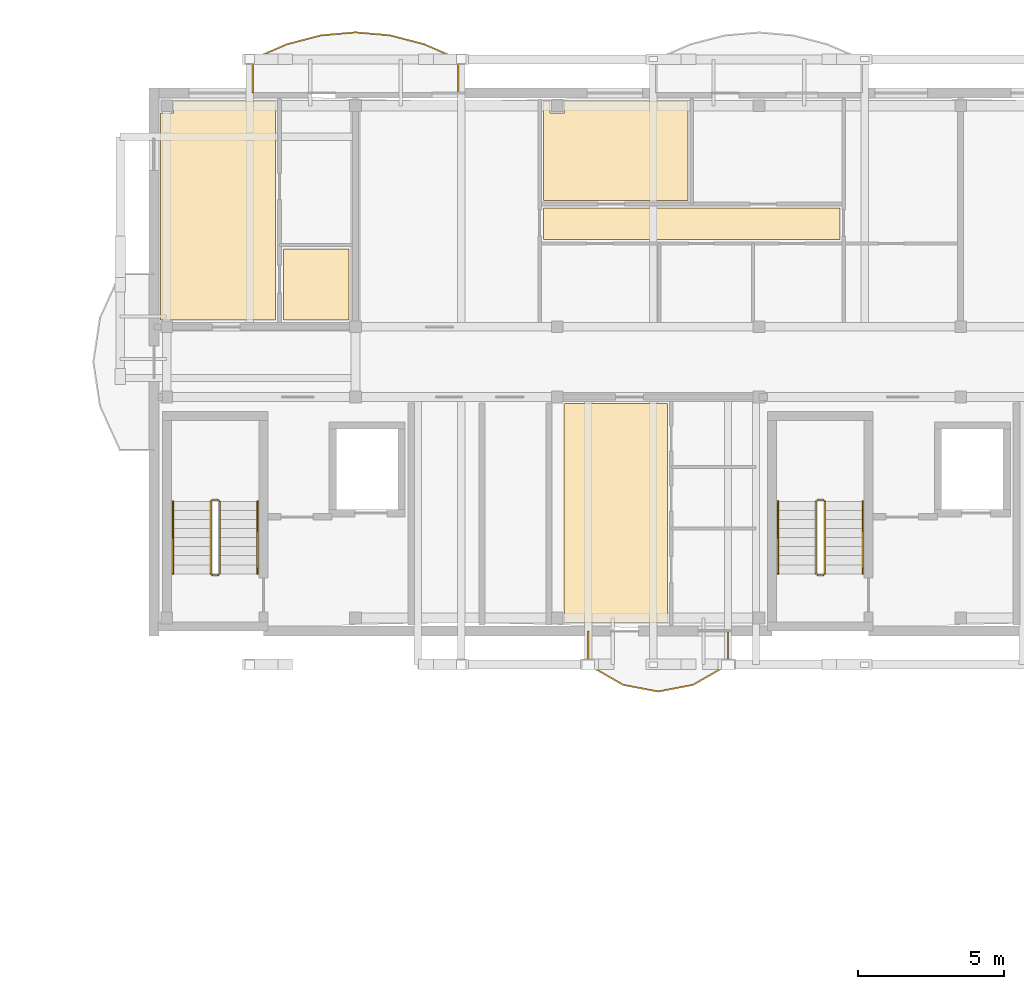
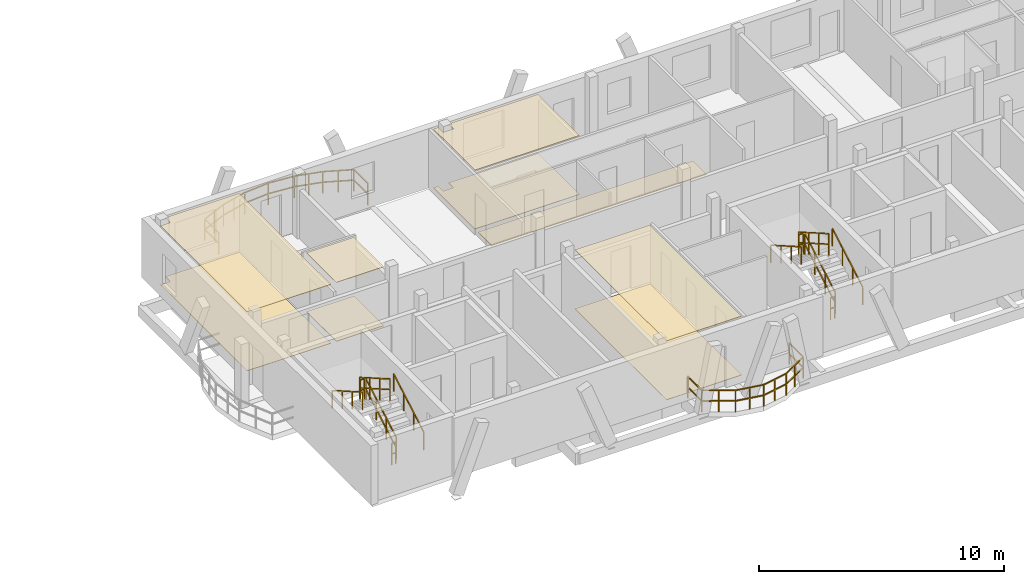
# One storey, part 32 of 33: 14 railings, 9 coverings.
"""IFC4 building model written with IfcOpenShell, lengths in metres."""

from ifc_helpers import new_model, si_unit, direction, frame, origin, origin_2d, place, context, subcontext, project, spatial, polyline, rectangle, outline, extrude, material, layer, layer_set, type_object, element, save


model = new_model("IFC4")

# Units and contexts
model_context = context("Model", 3, precision=1e-05, world=origin(), true_north=direction((0.0, 1.0)))
body_context = subcontext(model_context, "Body", "Model", "MODEL_VIEW")
ifc_project = project(units=[si_unit("LENGTHUNIT", "METRE"), si_unit("AREAUNIT", "SQUARE_METRE"), si_unit("VOLUMEUNIT", "CUBIC_METRE"), si_unit("PLANEANGLEUNIT", "RADIAN"), si_unit("MASSUNIT", "GRAM", prefix="KILO")], contexts=[model_context])

# Site, building, storey
site_placement = place(None, origin())
site = spatial("IfcSite", under=ifc_project, at=site_placement, CompositionType="ELEMENT")
building_placement = place(site_placement, origin())
building = spatial("IfcBuilding", under=site, at=building_placement, Name="Zavelmont Quarter", CompositionType="ELEMENT")
storey_placement = place(building_placement, frame((0.0, 0.0, 30.39990234375)))
storey = spatial("IfcBuildingStorey", under=building, at=storey_placement, Name="L09", CompositionType="ELEMENT", Elevation=30.39990234375)

# Coverings
ifc_material_1 = material(Name="Perforated acoustic gypsum board")
ifc_layer_1 = layer(ifc_material_1, 0.02490234375)
ifc_layer_set_1 = layer_set([ifc_layer_1], Name="Perforated acoustic gypsum board")
covering_type_1 = type_object("IfcCoveringType", Name="CV-CL01", PredefinedType="CEILING", material=ifc_layer_set_1)
covering_1_placement = place(storey_placement, frame((0.0, 0.0, 2.93505859375)))
element("IfcCovering", 1, at=covering_1_placement, inside=storey, type_object=covering_type_1, Name="L09 Residents Study Lounge acoustic ceiling", PredefinedType="CEILING", context=body_context, shape_type="SweptSolid", body=[
    extrude(outline(polyline([(126.830078125, 115.320068359375), (127.280029296875, 115.320068359375), (127.280029296875, 115.719970703125), (130.77001953125, 115.719970703125), (130.77001953125, 108.22998046875), (127.280029296875, 108.22998046875), (127.280029296875, 108.239990234375), (126.830078125, 108.239990234375), (126.830078125, 115.320068359375)])), origin(), (0.0, 0.0, 1.0), 0.025146484375),
])
covering_2_placement = place(storey_placement, frame((0.0, 0.0, 2.93505859375)))
element("IfcCovering", 2, at=covering_2_placement, inside=storey, type_object=covering_type_1, Name="L09 Single Bedroom acoustic ceiling", PredefinedType="CEILING", context=body_context, shape_type="SweptSolid", body=[
    extrude(outline(polyline([(139.929931640625, 115.719970703125), (140.159912109375, 115.719970703125), (140.159912109375, 115.320068359375), (140.639892578125, 115.320068359375), (140.639892578125, 115.719970703125), (144.8701171875, 115.719970703125), (144.8701171875, 112.330078125), (139.929931640625, 112.330078125), (139.929931640625, 115.719970703125)])), origin(), (0.0, 0.0, 1.0), 0.025146484375),
])
covering_3_placement = place(storey_placement, frame((0.0, 0.0, 2.93505859375)))
element("IfcCovering", 3, at=covering_3_placement, inside=storey, type_object=covering_type_1, Name="L09 Living Dining acoustic ceiling", PredefinedType="CEILING", context=body_context, shape_type="SweptSolid", body=[
    extrude(outline(polyline([(140.6298828125, 105.360107421875), (140.639892578125, 105.360107421875), (140.639892578125, 105.3701171875), (144.169921875, 105.3701171875), (144.169921875, 97.8798828125), (140.639892578125, 97.8798828125), (140.639892578125, 98.280029296875), (140.6298828125, 98.280029296875), (140.6298828125, 105.360107421875)])), origin(), (0.0, 0.0, 1.0), 0.025146484375),
])
ifc_material_2 = material(Name="Moisture-resistant painted gypsum ceiling")
ifc_layer_2 = layer(ifc_material_2, 0.02001953125)
ifc_layer_set_2 = layer_set([ifc_layer_2], Name="Moisture-resistant painted gypsum ceiling")
covering_type_2 = type_object("IfcCoveringType", Name="CV-CL04", PredefinedType="CEILING", material=ifc_layer_set_2)
covering_4_placement = place(storey_placement, frame((0.0, 0.0, 2.940185546875)))
element("IfcCovering", 4, at=covering_4_placement, inside=storey, type_object=covering_type_2, Name="L09 Accessible Toilet acoustic ceiling", PredefinedType="CEILING", context=body_context, shape_type="SweptSolid", body=[
    extrude(outline(polyline([(131.030029296875, 110.669921875), (133.27001953125, 110.669921875), (133.27001953125, 108.239990234375), (133.260009765625, 108.239990234375), (133.260009765625, 108.22998046875), (131.030029296875, 108.22998046875), (131.030029296875, 110.669921875)])), origin(), (0.0, 0.0, 1.0), 0.02001953125),
])
ifc_material_3 = material(Name="Engineered European oak parquet")
ifc_layer_3 = layer(ifc_material_3, 0.02197265625)
ifc_layer_set_3 = layer_set([ifc_layer_3], Name="Engineered European oak parquet")
covering_type_3 = type_object("IfcCoveringType", Name="CV-FL01", PredefinedType="FLOORING", material=ifc_layer_set_3)
covering_5_placement = place(storey_placement, origin())
element("IfcCovering", 5, at=covering_5_placement, inside=storey, type_object=covering_type_3, Name="L09 Residents Study Lounge floor finish", PredefinedType="FLOORING", context=body_context, shape_type="SweptSolid", body=[
    extrude(outline(polyline([(126.830078125, 115.320068359375), (127.280029296875, 115.320068359375), (127.280029296875, 115.719970703125), (130.77001953125, 115.719970703125), (130.77001953125, 108.22998046875), (127.280029296875, 108.22998046875), (127.280029296875, 108.239990234375), (126.830078125, 108.239990234375), (126.830078125, 115.320068359375)])), origin(), (0.0, 0.0, 1.0), 0.022216796875),
])
covering_6_placement = place(storey_placement, origin())
element("IfcCovering", 6, at=covering_6_placement, inside=storey, type_object=covering_type_3, Name="L09 Single Bedroom floor finish", PredefinedType="FLOORING", context=body_context, shape_type="SweptSolid", body=[
    extrude(outline(polyline([(139.929931640625, 115.719970703125), (140.159912109375, 115.719970703125), (140.159912109375, 115.320068359375), (140.639892578125, 115.320068359375), (140.639892578125, 115.719970703125), (144.8701171875, 115.719970703125), (144.8701171875, 112.330078125), (139.929931640625, 112.330078125), (139.929931640625, 115.719970703125)])), origin(), (0.0, 0.0, 1.0), 0.022216796875),
])
covering_7_placement = place(storey_placement, origin())
element("IfcCovering", 7, at=covering_7_placement, inside=storey, type_object=covering_type_3, Name="L09 Living Dining floor finish", PredefinedType="FLOORING", context=body_context, shape_type="SweptSolid", body=[
    extrude(outline(polyline([(140.6298828125, 105.360107421875), (140.639892578125, 105.360107421875), (140.639892578125, 105.3701171875), (144.169921875, 105.3701171875), (144.169921875, 97.8798828125), (140.639892578125, 97.8798828125), (140.639892578125, 98.280029296875), (140.6298828125, 98.280029296875), (140.6298828125, 105.360107421875)])), origin(), (0.0, 0.0, 1.0), 0.022216796875),
])
ifc_material_4 = material(Name="Honed Belgian bluestone tile", Category="masonry")
ifc_layer_4 = layer(ifc_material_4, 0.030029296875)
ifc_layer_set_4 = layer_set([ifc_layer_4], Name="Honed Belgian bluestone tile")
covering_type_4 = type_object("IfcCoveringType", Name="CV-FL02", PredefinedType="FLOORING", material=ifc_layer_set_4)
covering_8_placement = place(storey_placement, origin())
element("IfcCovering", 8, at=covering_8_placement, inside=storey, type_object=covering_type_4, Name="L09 Apartment Hall floor finish", PredefinedType="FLOORING", context=body_context, shape_type="SweptSolid", body=[
    extrude(outline(polyline([(139.929931640625, 112.070068359375), (150.070068359375, 112.070068359375), (150.070068359375, 110.97998046875), (139.929931640625, 110.97998046875), (139.929931640625, 112.070068359375)])), origin(), (0.0, 0.0, 1.0), 0.030029296875),
])
ifc_material_5 = material(Name="Slip-resistant porcelain tile")
ifc_layer_5 = layer(ifc_material_5, 0.02587890625)
ifc_layer_set_5 = layer_set([ifc_layer_5], Name="Slip-resistant porcelain tile")
covering_type_5 = type_object("IfcCoveringType", Name="CV-FL04", PredefinedType="FLOORING", material=ifc_layer_set_5)
covering_9_placement = place(storey_placement, origin())
element("IfcCovering", 9, at=covering_9_placement, inside=storey, type_object=covering_type_5, Name="L09 Accessible Toilet floor finish", PredefinedType="FLOORING", context=body_context, shape_type="SweptSolid", body=[
    extrude(outline(polyline([(131.030029296875, 110.669921875), (133.27001953125, 110.669921875), (133.27001953125, 108.239990234375), (133.260009765625, 108.239990234375), (133.260009765625, 108.22998046875), (131.030029296875, 108.22998046875), (131.030029296875, 110.669921875)])), origin(), (0.0, 0.0, 1.0), 0.026123046875),
])

# Railings
ifc_material_6 = material(Name="Powder-coated steel and tempered double safety glass", Category="steel")
railing_type_1 = type_object("IfcRailingType", Name="RL-BAL1", PredefinedType="BALUSTRADE", material=ifc_material_6)
railing_1_placement = place(storey_placement, frame((137.016845703125, 116.02001953125, 0.0)))
element("IfcRailing", 10, at=railing_1_placement, inside=storey, type_object=railing_type_1, Name="L09 Block C curved balcony guard RL-BAL1", PredefinedType="BALUSTRADE", context=body_context, shape_type="SweptSolid", body=[
    extrude(rectangle(XDim=0.048095703125, YDim=0.048095703125, at=origin_2d()), frame((0.0, 0.0, 1.076171875), z_axis=(0.0, 1.0, 0.0), x_axis=(-1.0, 0.0, 0.0)), (0.0, 0.0, 1.0), 1.14306640625),
    extrude(rectangle(XDim=0.048095703125, YDim=0.048095703125, at=origin_2d()), frame((0.0, 0.0, 0.550048828125), z_axis=(0.0, 1.0, 0.0), x_axis=(-1.0, 0.0, 0.0)), (0.0, 0.0, 1.0), 1.14306640625),
    extrude(rectangle(XDim=0.048095703125, YDim=0.048095703125, at=origin_2d()), frame((0.0, 1.14306640625, 1.076171875), z_axis=(-0.917616034314, 0.397468003202, 0.0), x_axis=(-0.397468003202, -0.917616034314, 0.0)), (0.0, 0.0, 1.0), 1.277587890625),
    extrude(rectangle(XDim=0.048095703125, YDim=0.048095703125, at=origin_2d()), frame((0.0, 1.14306640625, 0.550048828125), z_axis=(-0.917616034314, 0.397468003202, 0.0), x_axis=(-0.397468003202, -0.917616034314, 0.0)), (0.0, 0.0, 1.0), 1.277587890625),
    extrude(rectangle(XDim=0.048095703125, YDim=0.048095703125, at=origin_2d()), frame((-1.17236328125, 1.65087890625, 1.076171875), z_axis=(-0.967835270162, 0.251584756751, 0.0), x_axis=(-0.251584756751, -0.967835270162, 0.0)), (0.0, 0.0, 1.0), 1.211181640625),
    extrude(rectangle(XDim=0.048095703125, YDim=0.048095703125, at=origin_2d()), frame((-1.17236328125, 1.65087890625, 0.550048828125), z_axis=(-0.967835270162, 0.251584756751, 0.0), x_axis=(-0.251584756751, -0.967835270162, 0.0)), (0.0, 0.0, 1.0), 1.211181640625),
    extrude(rectangle(XDim=0.048095703125, YDim=0.048095703125, at=origin_2d()), frame((-2.344482421875, 1.95556640625, 1.076171875), z_axis=(-0.996286380318, 0.086101384388, 0.0), x_axis=(-0.086101384388, -0.996286380318, 0.0)), (0.0, 0.0, 1.0), 1.1767578125),
    extrude(rectangle(XDim=0.048095703125, YDim=0.048095703125, at=origin_2d()), frame((-2.344482421875, 1.95556640625, 0.550048828125), z_axis=(-0.996286380318, 0.086101384388, 0.0), x_axis=(-0.086101384388, -0.996286380318, 0.0)), (0.0, 0.0, 1.0), 1.1767578125),
    extrude(rectangle(XDim=0.048095703125, YDim=0.048095703125, at=origin_2d()), frame((-3.516845703125, 2.056884765625, 1.076171875), z_axis=(-0.996286380318, -0.086101384388, 0.0), x_axis=(0.086101384388, -0.996286380318, 0.0)), (0.0, 0.0, 1.0), 1.1767578125),
    extrude(rectangle(XDim=0.048095703125, YDim=0.048095703125, at=origin_2d()), frame((-3.516845703125, 2.056884765625, 0.550048828125), z_axis=(-0.996286380318, -0.086101384388, 0.0), x_axis=(0.086101384388, -0.996286380318, 0.0)), (0.0, 0.0, 1.0), 1.1767578125),
    extrude(rectangle(XDim=0.048095703125, YDim=0.048095703125, at=origin_2d()), frame((-4.689208984375, 1.95556640625, 1.076171875), z_axis=(-0.967835270162, -0.251584756751, 0.0), x_axis=(0.251584756751, -0.967835270162, 0.0)), (0.0, 0.0, 1.0), 1.211181640625),
    extrude(rectangle(XDim=0.048095703125, YDim=0.048095703125, at=origin_2d()), frame((-4.689208984375, 1.95556640625, 0.550048828125), z_axis=(-0.967835270162, -0.251584756751, 0.0), x_axis=(0.251584756751, -0.967835270162, 0.0)), (0.0, 0.0, 1.0), 1.211181640625),
    extrude(rectangle(XDim=0.048095703125, YDim=0.048095703125, at=origin_2d()), frame((-5.861328125, 1.65087890625, 1.076171875), z_axis=(-0.917616034314, -0.397468003202, 0.0), x_axis=(0.397468003202, -0.917616034314, 0.0)), (0.0, 0.0, 1.0), 1.277587890625),
    extrude(rectangle(XDim=0.048095703125, YDim=0.048095703125, at=origin_2d()), frame((-5.861328125, 1.65087890625, 0.550048828125), z_axis=(-0.917616034314, -0.397468003202, 0.0), x_axis=(0.397468003202, -0.917616034314, 0.0)), (0.0, 0.0, 1.0), 1.277587890625),
    extrude(rectangle(XDim=0.048095703125, YDim=0.048095703125, at=origin_2d()), frame((-7.03369140625, 1.14306640625, 1.076171875), z_axis=(0.0, -1.0, 0.0), x_axis=(1.0, 0.0, 0.0)), (0.0, 0.0, 1.0), 1.14306640625),
    extrude(rectangle(XDim=0.048095703125, YDim=0.048095703125, at=origin_2d()), frame((-7.03369140625, 1.14306640625, 0.550048828125), z_axis=(0.0, -1.0, 0.0), x_axis=(1.0, 0.0, 0.0)), (0.0, 0.0, 1.0), 1.14306640625),
    extrude(rectangle(XDim=0.0419921875, YDim=0.0419921875, at=origin_2d()), origin(), (0.0, 0.0, 1.0), 1.052001953125),
    extrude(rectangle(XDim=0.0419921875, YDim=0.0419921875, at=origin_2d()), frame((0.0, 1.14306640625, 0.0)), (0.0, 0.0, 1.0), 1.052001953125),
    extrude(rectangle(XDim=0.0419921875, YDim=0.0419921875, at=origin_2d()), frame((-0.586181640625, 1.39697265625, 0.0)), (0.0, 0.0, 1.0), 1.052001953125),
    extrude(rectangle(XDim=0.0419921875, YDim=0.0419921875, at=origin_2d()), frame((-1.17236328125, 1.65087890625, 0.0)), (0.0, 0.0, 1.0), 1.052001953125),
    extrude(rectangle(XDim=0.0419921875, YDim=0.0419921875, at=origin_2d()), frame((-1.75830078125, 1.80322265625, 0.0)), (0.0, 0.0, 1.0), 1.052001953125),
    extrude(rectangle(XDim=0.0419921875, YDim=0.0419921875, at=origin_2d()), frame((-2.344482421875, 1.95556640625, 0.0)), (0.0, 0.0, 1.0), 1.052001953125),
    extrude(rectangle(XDim=0.0419921875, YDim=0.0419921875, at=origin_2d()), frame((-3.516845703125, 2.056884765625, 0.0)), (0.0, 0.0, 1.0), 1.052001953125),
    extrude(rectangle(XDim=0.0419921875, YDim=0.0419921875, at=origin_2d()), frame((-4.689208984375, 1.95556640625, 0.0)), (0.0, 0.0, 1.0), 1.052001953125),
    extrude(rectangle(XDim=0.0419921875, YDim=0.0419921875, at=origin_2d()), frame((-5.275390625, 1.80322265625, 0.0)), (0.0, 0.0, 1.0), 1.052001953125),
    extrude(rectangle(XDim=0.0419921875, YDim=0.0419921875, at=origin_2d()), frame((-5.861328125, 1.65087890625, 0.0)), (0.0, 0.0, 1.0), 1.052001953125),
    extrude(rectangle(XDim=0.0419921875, YDim=0.0419921875, at=origin_2d()), frame((-6.447509765625, 1.39697265625, 0.0)), (0.0, 0.0, 1.0), 1.052001953125),
    extrude(rectangle(XDim=0.0419921875, YDim=0.0419921875, at=origin_2d()), frame((-7.03369140625, 1.14306640625, 0.0)), (0.0, 0.0, 1.0), 1.052001953125),
    extrude(rectangle(XDim=0.0419921875, YDim=0.0419921875, at=origin_2d()), frame((-7.03369140625, 0.0, 0.0)), (0.0, 0.0, 1.0), 1.052001953125),
])
railing_2_placement = place(storey_placement, frame((141.45947265625, 97.580078125, 0.0)))
element("IfcRailing", 11, at=railing_2_placement, inside=storey, type_object=railing_type_1, Name="L09 Block C curved balcony guard RL-BAL1", PredefinedType="BALUSTRADE", context=body_context, shape_type="SweptSolid", body=[
    extrude(rectangle(XDim=0.048095703125, YDim=0.048095703125, at=origin_2d()), frame((0.0, 0.0, 1.076171875), z_axis=(0.0, -1.0, 0.0), x_axis=(1.0, 0.0, 0.0)), (0.0, 0.0, 1.0), 1.14306640625),
    extrude(rectangle(XDim=0.048095703125, YDim=0.048095703125, at=origin_2d()), frame((0.0, 0.0, 0.550048828125), z_axis=(0.0, -1.0, 0.0), x_axis=(1.0, 0.0, 0.0)), (0.0, 0.0, 1.0), 1.14306640625),
    extrude(rectangle(XDim=0.048095703125, YDim=0.048095703125, at=origin_2d()), frame((0.0, -1.14306640625, 1.076171875), z_axis=(0.867457026274, -0.49751211801, 0.0), x_axis=(0.49751211801, 0.867457026274, 0.0)), (0.0, 0.0, 1.0), 1.3779296875),
    extrude(rectangle(XDim=0.048095703125, YDim=0.048095703125, at=origin_2d()), frame((0.0, -1.14306640625, 0.550048828125), z_axis=(0.867457026274, -0.49751211801, 0.0), x_axis=(0.49751211801, 0.867457026274, 0.0)), (0.0, 0.0, 1.0), 1.3779296875),
    extrude(rectangle(XDim=0.048095703125, YDim=0.048095703125, at=origin_2d()), frame((1.1953125, -1.82861328125, 1.076171875), z_axis=(0.982211915114, -0.187775807301, 0.0), x_axis=(0.187775807301, 0.982211915114, 0.0)), (0.0, 0.0, 1.0), 1.217041015625),
    extrude(rectangle(XDim=0.048095703125, YDim=0.048095703125, at=origin_2d()), frame((1.1953125, -1.82861328125, 0.550048828125), z_axis=(0.982211915114, -0.187775807301, 0.0), x_axis=(0.187775807301, 0.982211915114, 0.0)), (0.0, 0.0, 1.0), 1.217041015625),
    extrude(rectangle(XDim=0.048095703125, YDim=0.048095703125, at=origin_2d()), frame((2.390625, -2.05712890625, 1.076171875), z_axis=(0.982211915114, 0.187775807301, 0.0), x_axis=(-0.187775807301, 0.982211915114, 0.0)), (0.0, 0.0, 1.0), 1.217041015625),
    extrude(rectangle(XDim=0.048095703125, YDim=0.048095703125, at=origin_2d()), frame((2.390625, -2.05712890625, 0.550048828125), z_axis=(0.982211915114, 0.187775807301, 0.0), x_axis=(-0.187775807301, 0.982211915114, 0.0)), (0.0, 0.0, 1.0), 1.217041015625),
    extrude(rectangle(XDim=0.048095703125, YDim=0.048095703125, at=origin_2d()), frame((3.5859375, -1.82861328125, 1.076171875), z_axis=(0.86741316169, 0.497588592038, 0.0), x_axis=(-0.497588592038, 0.86741316169, 0.0)), (0.0, 0.0, 1.0), 1.377685546875),
    extrude(rectangle(XDim=0.048095703125, YDim=0.048095703125, at=origin_2d()), frame((3.5859375, -1.82861328125, 0.550048828125), z_axis=(0.86741316169, 0.497588592038, 0.0), x_axis=(-0.497588592038, 0.86741316169, 0.0)), (0.0, 0.0, 1.0), 1.377685546875),
    extrude(rectangle(XDim=0.048095703125, YDim=0.048095703125, at=origin_2d()), frame((4.781005859375, -1.14306640625, 1.076171875), z_axis=(0.0, 1.0, 0.0), x_axis=(-1.0, 0.0, 0.0)), (0.0, 0.0, 1.0), 1.14306640625),
    extrude(rectangle(XDim=0.048095703125, YDim=0.048095703125, at=origin_2d()), frame((4.781005859375, -1.14306640625, 0.550048828125), z_axis=(0.0, 1.0, 0.0), x_axis=(-1.0, 0.0, 0.0)), (0.0, 0.0, 1.0), 1.14306640625),
    extrude(rectangle(XDim=0.0419921875, YDim=0.0419921875, at=origin_2d()), origin(), (0.0, 0.0, 1.0), 1.052001953125),
    extrude(rectangle(XDim=0.0419921875, YDim=0.0419921875, at=origin_2d()), frame((0.0, -1.14306640625, 0.0)), (0.0, 0.0, 1.0), 1.052001953125),
    extrude(rectangle(XDim=0.0419921875, YDim=0.0419921875, at=origin_2d()), frame((0.59765625, -1.48583984375, 0.0)), (0.0, 0.0, 1.0), 1.052001953125),
    extrude(rectangle(XDim=0.0419921875, YDim=0.0419921875, at=origin_2d()), frame((1.1953125, -1.82861328125, 0.0)), (0.0, 0.0, 1.0), 1.052001953125),
    extrude(rectangle(XDim=0.0419921875, YDim=0.0419921875, at=origin_2d()), frame((1.79296875, -1.94287109375, 0.0)), (0.0, 0.0, 1.0), 1.052001953125),
    extrude(rectangle(XDim=0.0419921875, YDim=0.0419921875, at=origin_2d()), frame((2.390625, -2.05712890625, 0.0)), (0.0, 0.0, 1.0), 1.052001953125),
    extrude(rectangle(XDim=0.0419921875, YDim=0.0419921875, at=origin_2d()), frame((2.98828125, -1.94287109375, 0.0)), (0.0, 0.0, 1.0), 1.052001953125),
    extrude(rectangle(XDim=0.0419921875, YDim=0.0419921875, at=origin_2d()), frame((3.5859375, -1.82861328125, 0.0)), (0.0, 0.0, 1.0), 1.052001953125),
    extrude(rectangle(XDim=0.0419921875, YDim=0.0419921875, at=origin_2d()), frame((4.18359375, -1.48583984375, 0.0)), (0.0, 0.0, 1.0), 1.052001953125),
    extrude(rectangle(XDim=0.0419921875, YDim=0.0419921875, at=origin_2d()), frame((4.781005859375, -1.14306640625, 0.0)), (0.0, 0.0, 1.0), 1.052001953125),
    extrude(rectangle(XDim=0.0419921875, YDim=0.0419921875, at=origin_2d()), frame((4.781005859375, 0.0, 0.0)), (0.0, 0.0, 1.0), 1.052001953125),
])
ifc_material_7 = material(Name="Powder-coated steel stair guardrail", Category="steel")
railing_type_2 = type_object("IfcRailingType", Name="RL-GRD1", PredefinedType="GUARDRAIL", material=ifc_material_7)
railing_3_placement = place(storey_placement, frame((128.85009765625, 99.550048828125, 0.177978515625)))
element("IfcRailing", 12, at=railing_3_placement, inside=storey, type_object=railing_type_2, Name="L09 ST05 stair guardrail 1", PredefinedType="GUARDRAIL", context=body_context, shape_type="SweptSolid", body=[
    extrude(rectangle(XDim=0.048095703125, YDim=0.048095703125, at=origin_2d()), frame((0.0, 0.0, 1.076171875), z_axis=(0.0, 0.867490628297, 0.497453525283), x_axis=(-1.0, 0.0, 0.0)), (0.0, 0.0, 1.0), 2.85888671875),
    extrude(rectangle(XDim=0.048095703125, YDim=0.048095703125, at=origin_2d()), frame((0.0, 0.0, 0.550048828125), z_axis=(0.0, 0.867490628297, 0.497453525283), x_axis=(-1.0, 0.0, 0.0)), (0.0, 0.0, 1.0), 2.85888671875),
    extrude(rectangle(XDim=0.0419921875, YDim=0.0419921875, at=origin_2d()), origin(), (0.0, 0.0, 1.0), 1.052001953125),
    extrude(rectangle(XDim=0.0419921875, YDim=0.0419921875, at=origin_2d()), frame((0.0, 0.82666015625, 0.47412109375)), (0.0, 0.0, 1.0), 1.052001953125),
    extrude(rectangle(XDim=0.0419921875, YDim=0.0419921875, at=origin_2d()), frame((0.0, 1.6533203125, 0.947998046875)), (0.0, 0.0, 1.0), 1.052001953125),
    extrude(rectangle(XDim=0.0419921875, YDim=0.0419921875, at=origin_2d()), frame((0.0, 2.47998046875, 1.422119140625)), (0.0, 0.0, 1.0), 1.052001953125),
])
railing_4_placement = place(storey_placement, frame((128.800048828125, 102.080078125, 1.60009765625)))
element("IfcRailing", 13, at=railing_4_placement, inside=storey, type_object=railing_type_2, Name="L09 ST05 stair guardrail 2", PredefinedType="GUARDRAIL", context=body_context, shape_type="SweptSolid", body=[
    extrude(rectangle(XDim=0.048095703125, YDim=0.048095703125, at=origin_2d()), frame((0.0, 0.0, 1.076171875), z_axis=(-1.0, 0.0, 0.0), x_axis=(0.0, -1.0, 0.0)), (0.0, 0.0, 1.0), 0.199951171875),
    extrude(rectangle(XDim=0.048095703125, YDim=0.048095703125, at=origin_2d()), frame((0.0, 0.0, 0.550048828125), z_axis=(-1.0, 0.0, 0.0), x_axis=(0.0, -1.0, 0.0)), (0.0, 0.0, 1.0), 0.199951171875),
    extrude(rectangle(XDim=0.0419921875, YDim=0.0419921875, at=origin_2d()), origin(), (0.0, 0.0, 1.0), 1.052001953125),
    extrude(rectangle(XDim=0.0419921875, YDim=0.0419921875, at=origin_2d()), frame((-0.199951171875, 0.0, 0.0)), (0.0, 0.0, 1.0), 1.052001953125),
])
railing_5_placement = place(storey_placement, frame((128.550048828125, 102.030029296875, 1.77783203125)))
element("IfcRailing", 14, at=railing_5_placement, inside=storey, type_object=railing_type_2, Name="L09 ST05 stair guardrail 3", PredefinedType="GUARDRAIL", context=body_context, shape_type="SweptSolid", body=[
    extrude(rectangle(XDim=0.048095703125, YDim=0.048095703125, at=origin_2d()), frame((0.0, 0.0, 1.076171875), z_axis=(0.0, -0.867453774394, 0.497517787913), x_axis=(1.0, 0.0, 0.0)), (0.0, 0.0, 1.0), 2.85888671875),
    extrude(rectangle(XDim=0.048095703125, YDim=0.048095703125, at=origin_2d()), frame((0.0, 0.0, 0.550048828125), z_axis=(0.0, -0.867453774394, 0.497517787913), x_axis=(1.0, 0.0, 0.0)), (0.0, 0.0, 1.0), 2.85888671875),
    extrude(rectangle(XDim=0.0419921875, YDim=0.0419921875, at=origin_2d()), origin(), (0.0, 0.0, 1.0), 1.052001953125),
    extrude(rectangle(XDim=0.0419921875, YDim=0.0419921875, at=origin_2d()), frame((0.0, -0.82666015625, 0.47412109375)), (0.0, 0.0, 1.0), 1.052001953125),
    extrude(rectangle(XDim=0.0419921875, YDim=0.0419921875, at=origin_2d()), frame((0.0, -1.6533203125, 0.9482421875)), (0.0, 0.0, 1.0), 1.052001953125),
    extrude(rectangle(XDim=0.0419921875, YDim=0.0419921875, at=origin_2d()), frame((0.0, -2.47998046875, 1.42236328125)), (0.0, 0.0, 1.0), 1.052001953125),
])
railing_6_placement = place(storey_placement, frame((128.800048828125, 99.5, 0.0)))
element("IfcRailing", 15, at=railing_6_placement, inside=storey, type_object=railing_type_2, Name="L09 ST05 stair guardrail 4", PredefinedType="GUARDRAIL", context=body_context, shape_type="SweptSolid", body=[
    extrude(rectangle(XDim=0.048095703125, YDim=0.048095703125, at=origin_2d()), frame((0.0, 0.0, 1.076171875), z_axis=(-1.0, 0.0, 0.0), x_axis=(0.0, -1.0, 0.0)), (0.0, 0.0, 1.0), 0.199951171875),
    extrude(rectangle(XDim=0.048095703125, YDim=0.048095703125, at=origin_2d()), frame((0.0, 0.0, 0.550048828125), z_axis=(-1.0, 0.0, 0.0), x_axis=(0.0, -1.0, 0.0)), (0.0, 0.0, 1.0), 0.199951171875),
    extrude(rectangle(XDim=0.0419921875, YDim=0.0419921875, at=origin_2d()), origin(), (0.0, 0.0, 1.0), 1.052001953125),
    extrude(rectangle(XDim=0.0419921875, YDim=0.0419921875, at=origin_2d()), frame((-0.199951171875, 0.0, 0.0)), (0.0, 0.0, 1.0), 1.052001953125),
])
railing_7_placement = place(storey_placement, frame((149.550048828125, 99.550048828125, 0.177978515625)))
element("IfcRailing", 16, at=railing_7_placement, inside=storey, type_object=railing_type_2, Name="L09 ST06 stair guardrail 1", PredefinedType="GUARDRAIL", context=body_context, shape_type="SweptSolid", body=[
    extrude(rectangle(XDim=0.048095703125, YDim=0.048095703125, at=origin_2d()), frame((0.0, 0.0, 1.076171875), z_axis=(0.0, 0.867490628297, 0.497453525283), x_axis=(-1.0, 0.0, 0.0)), (0.0, 0.0, 1.0), 2.85888671875),
    extrude(rectangle(XDim=0.048095703125, YDim=0.048095703125, at=origin_2d()), frame((0.0, 0.0, 0.550048828125), z_axis=(0.0, 0.867490628297, 0.497453525283), x_axis=(-1.0, 0.0, 0.0)), (0.0, 0.0, 1.0), 2.85888671875),
    extrude(rectangle(XDim=0.0419921875, YDim=0.0419921875, at=origin_2d()), origin(), (0.0, 0.0, 1.0), 1.052001953125),
    extrude(rectangle(XDim=0.0419921875, YDim=0.0419921875, at=origin_2d()), frame((0.0, 0.82666015625, 0.47412109375)), (0.0, 0.0, 1.0), 1.052001953125),
    extrude(rectangle(XDim=0.0419921875, YDim=0.0419921875, at=origin_2d()), frame((0.0, 1.6533203125, 0.947998046875)), (0.0, 0.0, 1.0), 1.052001953125),
    extrude(rectangle(XDim=0.0419921875, YDim=0.0419921875, at=origin_2d()), frame((0.0, 2.47998046875, 1.422119140625)), (0.0, 0.0, 1.0), 1.052001953125),
])
railing_8_placement = place(storey_placement, frame((149.5, 102.080078125, 1.60009765625)))
element("IfcRailing", 17, at=railing_8_placement, inside=storey, type_object=railing_type_2, Name="L09 ST06 stair guardrail 2", PredefinedType="GUARDRAIL", context=body_context, shape_type="SweptSolid", body=[
    extrude(rectangle(XDim=0.048095703125, YDim=0.048095703125, at=origin_2d()), frame((0.0, 0.0, 1.076171875), z_axis=(-1.0, 0.0, 0.0), x_axis=(0.0, -1.0, 0.0)), (0.0, 0.0, 1.0), 0.199951171875),
    extrude(rectangle(XDim=0.048095703125, YDim=0.048095703125, at=origin_2d()), frame((0.0, 0.0, 0.550048828125), z_axis=(-1.0, 0.0, 0.0), x_axis=(0.0, -1.0, 0.0)), (0.0, 0.0, 1.0), 0.199951171875),
    extrude(rectangle(XDim=0.0419921875, YDim=0.0419921875, at=origin_2d()), origin(), (0.0, 0.0, 1.0), 1.052001953125),
    extrude(rectangle(XDim=0.0419921875, YDim=0.0419921875, at=origin_2d()), frame((-0.199951171875, 0.0, 0.0)), (0.0, 0.0, 1.0), 1.052001953125),
])
railing_9_placement = place(storey_placement, frame((149.25, 102.030029296875, 1.77783203125)))
element("IfcRailing", 18, at=railing_9_placement, inside=storey, type_object=railing_type_2, Name="L09 ST06 stair guardrail 3", PredefinedType="GUARDRAIL", context=body_context, shape_type="SweptSolid", body=[
    extrude(rectangle(XDim=0.048095703125, YDim=0.048095703125, at=origin_2d()), frame((0.0, 0.0, 1.076171875), z_axis=(0.0, -0.867453774394, 0.497517787913), x_axis=(1.0, 0.0, 0.0)), (0.0, 0.0, 1.0), 2.85888671875),
    extrude(rectangle(XDim=0.048095703125, YDim=0.048095703125, at=origin_2d()), frame((0.0, 0.0, 0.550048828125), z_axis=(0.0, -0.867453774394, 0.497517787913), x_axis=(1.0, 0.0, 0.0)), (0.0, 0.0, 1.0), 2.85888671875),
    extrude(rectangle(XDim=0.0419921875, YDim=0.0419921875, at=origin_2d()), origin(), (0.0, 0.0, 1.0), 1.052001953125),
    extrude(rectangle(XDim=0.0419921875, YDim=0.0419921875, at=origin_2d()), frame((0.0, -0.82666015625, 0.47412109375)), (0.0, 0.0, 1.0), 1.052001953125),
    extrude(rectangle(XDim=0.0419921875, YDim=0.0419921875, at=origin_2d()), frame((0.0, -1.6533203125, 0.9482421875)), (0.0, 0.0, 1.0), 1.052001953125),
    extrude(rectangle(XDim=0.0419921875, YDim=0.0419921875, at=origin_2d()), frame((0.0, -2.47998046875, 1.42236328125)), (0.0, 0.0, 1.0), 1.052001953125),
])
railing_10_placement = place(storey_placement, frame((149.5, 99.5, 0.0)))
element("IfcRailing", 19, at=railing_10_placement, inside=storey, type_object=railing_type_2, Name="L09 ST06 stair guardrail 4", PredefinedType="GUARDRAIL", context=body_context, shape_type="SweptSolid", body=[
    extrude(rectangle(XDim=0.048095703125, YDim=0.048095703125, at=origin_2d()), frame((0.0, 0.0, 1.076171875), z_axis=(-1.0, 0.0, 0.0), x_axis=(0.0, -1.0, 0.0)), (0.0, 0.0, 1.0), 0.199951171875),
    extrude(rectangle(XDim=0.048095703125, YDim=0.048095703125, at=origin_2d()), frame((0.0, 0.0, 0.550048828125), z_axis=(-1.0, 0.0, 0.0), x_axis=(0.0, -1.0, 0.0)), (0.0, 0.0, 1.0), 0.199951171875),
    extrude(rectangle(XDim=0.0419921875, YDim=0.0419921875, at=origin_2d()), origin(), (0.0, 0.0, 1.0), 1.052001953125),
    extrude(rectangle(XDim=0.0419921875, YDim=0.0419921875, at=origin_2d()), frame((-0.199951171875, 0.0, 0.0)), (0.0, 0.0, 1.0), 1.052001953125),
])
ifc_material_8 = material(Name="Brushed stainless-steel wall handrail", Category="steel")
railing_type_3 = type_object("IfcRailingType", Name="RL-HND1", PredefinedType="HANDRAIL", material=ifc_material_8)
railing_11_placement = place(storey_placement, frame((130.14990234375, 99.550048828125, 0.177978515625)))
element("IfcRailing", 20, at=railing_11_placement, inside=storey, type_object=railing_type_3, Name="L09 ST05 stair handrail 1", PredefinedType="HANDRAIL", context=body_context, shape_type="SweptSolid", body=[
    extrude(rectangle(XDim=0.048095703125, YDim=0.048095703125, at=origin_2d()), frame((0.0, 0.0, 0.8759765625), z_axis=(0.0, 0.867490628297, 0.497453525283), x_axis=(-1.0, 0.0, 0.0)), (0.0, 0.0, 1.0), 2.85888671875),
    extrude(rectangle(XDim=0.0419921875, YDim=0.0419921875, at=origin_2d()), origin(), (0.0, 0.0, 1.0), 0.851806640625),
    extrude(rectangle(XDim=0.0419921875, YDim=0.0419921875, at=origin_2d()), frame((0.0, 0.82666015625, 0.47412109375)), (0.0, 0.0, 1.0), 0.851806640625),
    extrude(rectangle(XDim=0.0419921875, YDim=0.0419921875, at=origin_2d()), frame((0.0, 1.6533203125, 0.947998046875)), (0.0, 0.0, 1.0), 0.851806640625),
    extrude(rectangle(XDim=0.0419921875, YDim=0.0419921875, at=origin_2d()), frame((0.0, 2.47998046875, 1.422119140625)), (0.0, 0.0, 1.0), 0.851806640625),
])
railing_12_placement = place(storey_placement, frame((127.25, 102.030029296875, 1.77783203125)))
element("IfcRailing", 21, at=railing_12_placement, inside=storey, type_object=railing_type_3, Name="L09 ST05 stair handrail 2", PredefinedType="HANDRAIL", context=body_context, shape_type="SweptSolid", body=[
    extrude(rectangle(XDim=0.048095703125, YDim=0.048095703125, at=origin_2d()), frame((0.0, 0.0, 0.8759765625), z_axis=(0.0, -0.867453774394, 0.497517787913), x_axis=(1.0, 0.0, 0.0)), (0.0, 0.0, 1.0), 2.85888671875),
    extrude(rectangle(XDim=0.0419921875, YDim=0.0419921875, at=origin_2d()), origin(), (0.0, 0.0, 1.0), 0.851806640625),
    extrude(rectangle(XDim=0.0419921875, YDim=0.0419921875, at=origin_2d()), frame((0.0, -0.82666015625, 0.47412109375)), (0.0, 0.0, 1.0), 0.851806640625),
    extrude(rectangle(XDim=0.0419921875, YDim=0.0419921875, at=origin_2d()), frame((0.0, -1.6533203125, 0.9482421875)), (0.0, 0.0, 1.0), 0.851806640625),
    extrude(rectangle(XDim=0.0419921875, YDim=0.0419921875, at=origin_2d()), frame((0.0, -2.47998046875, 1.42236328125)), (0.0, 0.0, 1.0), 0.851806640625),
])
railing_13_placement = place(storey_placement, frame((150.85009765625, 99.550048828125, 0.177978515625)))
element("IfcRailing", 22, at=railing_13_placement, inside=storey, type_object=railing_type_3, Name="L09 ST06 stair handrail 1", PredefinedType="HANDRAIL", context=body_context, shape_type="SweptSolid", body=[
    extrude(rectangle(XDim=0.048095703125, YDim=0.048095703125, at=origin_2d()), frame((0.0, 0.0, 0.8759765625), z_axis=(0.0, 0.867490628297, 0.497453525283), x_axis=(-1.0, 0.0, 0.0)), (0.0, 0.0, 1.0), 2.85888671875),
    extrude(rectangle(XDim=0.0419921875, YDim=0.0419921875, at=origin_2d()), origin(), (0.0, 0.0, 1.0), 0.851806640625),
    extrude(rectangle(XDim=0.0419921875, YDim=0.0419921875, at=origin_2d()), frame((0.0, 0.82666015625, 0.47412109375)), (0.0, 0.0, 1.0), 0.851806640625),
    extrude(rectangle(XDim=0.0419921875, YDim=0.0419921875, at=origin_2d()), frame((0.0, 1.6533203125, 0.947998046875)), (0.0, 0.0, 1.0), 0.851806640625),
    extrude(rectangle(XDim=0.0419921875, YDim=0.0419921875, at=origin_2d()), frame((0.0, 2.47998046875, 1.422119140625)), (0.0, 0.0, 1.0), 0.851806640625),
])
railing_14_placement = place(storey_placement, frame((147.949951171875, 102.030029296875, 1.77783203125)))
element("IfcRailing", 23, at=railing_14_placement, inside=storey, type_object=railing_type_3, Name="L09 ST06 stair handrail 2", PredefinedType="HANDRAIL", context=body_context, shape_type="SweptSolid", body=[
    extrude(rectangle(XDim=0.048095703125, YDim=0.048095703125, at=origin_2d()), frame((0.0, 0.0, 0.8759765625), z_axis=(0.0, -0.867453774394, 0.497517787913), x_axis=(1.0, 0.0, 0.0)), (0.0, 0.0, 1.0), 2.85888671875),
    extrude(rectangle(XDim=0.0419921875, YDim=0.0419921875, at=origin_2d()), origin(), (0.0, 0.0, 1.0), 0.851806640625),
    extrude(rectangle(XDim=0.0419921875, YDim=0.0419921875, at=origin_2d()), frame((0.0, -0.82666015625, 0.47412109375)), (0.0, 0.0, 1.0), 0.851806640625),
    extrude(rectangle(XDim=0.0419921875, YDim=0.0419921875, at=origin_2d()), frame((0.0, -1.6533203125, 0.9482421875)), (0.0, 0.0, 1.0), 0.851806640625),
    extrude(rectangle(XDim=0.0419921875, YDim=0.0419921875, at=origin_2d()), frame((0.0, -2.47998046875, 1.42236328125)), (0.0, 0.0, 1.0), 0.851806640625),
])

save(model, "model.ifc")
